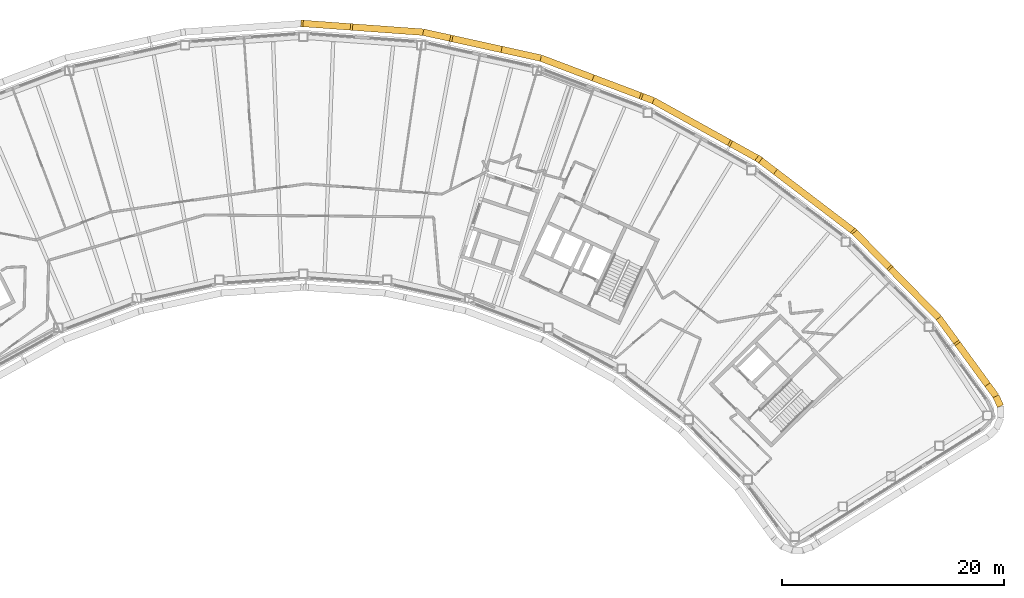
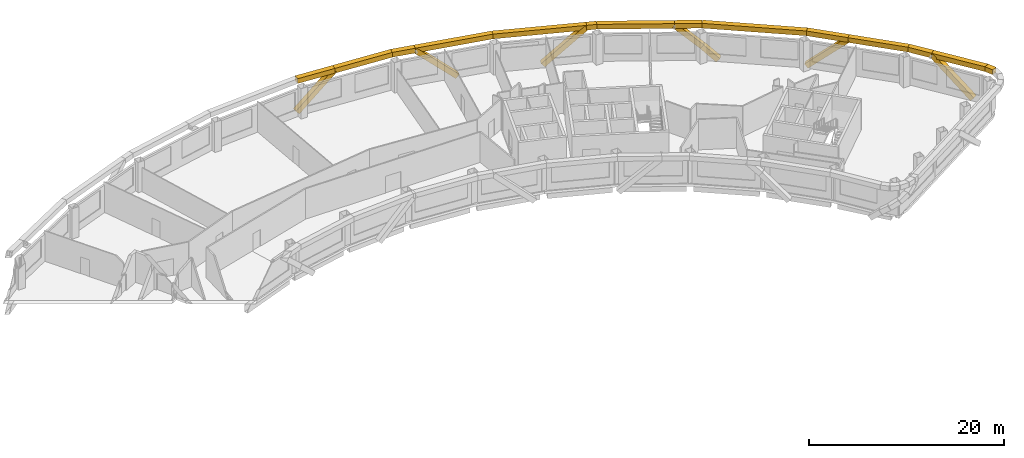
# One storey, part 17 of 18: 21 coverings.
"""IFC4 building model written with IfcOpenShell, lengths in metres."""

from ifc_helpers import new_model, si_unit, direction, frame, origin, origin_2d, place, context, subcontext, project, spatial, rectangle, extrude, material, material_profile, profile_set, type_object, element, save


model = new_model("IFC4")

# Units and contexts
model_context = context("Model", 3, precision=1e-05, world=origin(), true_north=direction((0.0, 1.0)))
body_context = subcontext(model_context, "Body", "Model", "MODEL_VIEW")
ifc_project = project(units=[si_unit("LENGTHUNIT", "METRE"), si_unit("AREAUNIT", "SQUARE_METRE"), si_unit("VOLUMEUNIT", "CUBIC_METRE"), si_unit("PLANEANGLEUNIT", "RADIAN"), si_unit("MASSUNIT", "GRAM", prefix="KILO")], contexts=[model_context])

# Site, building, storey
site_placement = place(None, origin())
site = spatial("IfcSite", under=ifc_project, at=site_placement, CompositionType="ELEMENT")
building_placement = place(site_placement, origin())
building = spatial("IfcBuilding", under=site, at=building_placement, Name="Tuul Gate Civic Tower", CompositionType="ELEMENT")
storey_placement = place(building_placement, frame((0.0, 0.0, 234.699951171875)))
storey = spatial("IfcBuildingStorey", under=building, at=storey_placement, Name="Level 53", CompositionType="ELEMENT", Elevation=234.699951171875)

# Coverings
ifc_material = material(Name="Terracotta baguette", Category="masonry")
ifc_material_profile = material_profile(ifc_material, rectangle(XDim=0.60009765625, YDim=0.60009765625, at=origin_2d()), Name="Terracotta baguette screen frame")
ifc_profile_set = profile_set([ifc_material_profile], Name="Terracotta baguette")
covering_type = type_object("IfcCoveringType", Name="Terracotta baguette screen frame", PredefinedType="CLADDING", material=ifc_profile_set)
covering_1_placement = place(storey_placement, frame((67.499755859375, -12.619140625, -0.349853515625), z_axis=(-0.433834561018, 0.59396267695, 0.677492370479), x_axis=(-0.807530403609, -0.589825946569, 0.0)))
element("IfcCovering", 1, at=covering_1_placement, inside=storey, type_object=covering_type, Name="Baguette 20", PredefinedType="CLADDING", context=body_context, shape_type="SweptSolid", body=[
    extrude(rectangle(XDim=0.60009765625, YDim=0.60009765625, at=origin_2d()), origin(), (0.0, 0.0, 1.0), 6.19921875),
])
covering_2_placement = place(storey_placement, frame((64.810302734375, -8.93701171875, 3.85009765625), z_axis=(-0.589822441222, 0.807532963928, 0.0), x_axis=(-0.807532963928, -0.589822441222, 0.0)))
element("IfcCovering", 2, at=covering_2_placement, inside=storey, type_object=covering_type, Name="Baguette 25", PredefinedType="CLADDING", context=body_context, shape_type="SweptSolid", body=[
    extrude(rectangle(XDim=0.60009765625, YDim=0.60009765625, at=origin_2d()), origin(), (0.0, 0.0, 1.0), 2.68017578125),
])
covering_3_placement = place(storey_placement, frame((63.2294921875, -6.772705078125, 3.85009765625), z_axis=(-0.700001676443, 0.714141199607, 0.0), x_axis=(-0.714141199607, -0.700001676443, 0.0)))
element("IfcCovering", 3, at=covering_3_placement, inside=storey, type_object=covering_type, Name="Baguette 26", PredefinedType="CLADDING", context=body_context, shape_type="SweptSolid", body=[
    extrude(rectangle(XDim=0.60009765625, YDim=0.60009765625, at=origin_2d()), origin(), (0.0, 0.0, 1.0), 6.406005859375),
])
covering_4_placement = place(storey_placement, frame((58.745361328125, -2.197998046875, 3.85009765625), z_axis=(-0.513638362215, 0.524035247313, -0.67938405371), x_axis=(-0.714155733534, -0.699986848634, 0.0)))
element("IfcCovering", 4, at=covering_4_placement, inside=storey, type_object=covering_type, Name="Baguette 29", PredefinedType="CLADDING", context=body_context, shape_type="SweptSolid", body=[
    extrude(rectangle(XDim=0.60009765625, YDim=0.60009765625, at=origin_2d()), origin(), (0.0, 0.0, 1.0), 6.058349609375),
])
covering_5_placement = place(storey_placement, frame((48.34326171875, 6.52783203125, -0.349853515625), z_axis=(-0.583849714634, 0.444519530098, 0.679354030005), x_axis=(-0.605768691074, -0.795640806467, 0.0)))
element("IfcCovering", 5, at=covering_5_placement, inside=storey, type_object=covering_type, Name="Baguette 43", PredefinedType="CLADDING", context=body_context, shape_type="SweptSolid", body=[
    extrude(rectangle(XDim=0.60009765625, YDim=0.60009765625, at=origin_2d()), origin(), (0.0, 0.0, 1.0), 2.30078125),
])
covering_6_placement = place(storey_placement, frame((47.0, 7.550537109375, 1.213134765625), z_axis=(-0.6417332848, 0.355777637603, 0.679411998541), x_axis=(-0.484871200152, -0.874585570006, 0.0)))
element("IfcCovering", 6, at=covering_6_placement, inside=storey, type_object=covering_type, Name="Baguette 44", PredefinedType="CLADDING", context=body_context, shape_type="SweptSolid", body=[
    extrude(rectangle(XDim=0.60009765625, YDim=0.60009765625, at=origin_2d()), origin(), (0.0, 0.0, 1.0), 3.88134765625),
])
covering_7_placement = place(storey_placement, frame((44.50927734375, 8.931396484375, 3.85009765625), z_axis=(-0.874641739175, 0.484769871272, 0.0), x_axis=(-0.484769871272, -0.874641739175, 0.0)))
element("IfcCovering", 7, at=covering_7_placement, inside=storey, type_object=covering_type, Name="Baguette 49", PredefinedType="CLADDING", context=body_context, shape_type="SweptSolid", body=[
    extrude(rectangle(XDim=0.60009765625, YDim=0.60009765625, at=origin_2d()), origin(), (0.0, 0.0, 1.0), 8.003662109375),
])
covering_8_placement = place(storey_placement, frame((37.509033203125, 12.811279296875, 3.85009765625), z_axis=(-0.935396556142, 0.353600456388, 0.0), x_axis=(-0.353600456388, -0.935396556142, 0.0)))
element("IfcCovering", 8, at=covering_8_placement, inside=storey, type_object=covering_type, Name="Baguette 50", PredefinedType="CLADDING", context=body_context, shape_type="SweptSolid", body=[
    extrude(rectangle(XDim=0.60009765625, YDim=0.60009765625, at=origin_2d()), origin(), (0.0, 0.0, 1.0), 1.06884765625),
])
covering_9_placement = place(storey_placement, frame((36.50927734375, 13.189208984375, 3.85009765625), z_axis=(-0.686362304965, 0.259538151221, -0.679372309109), x_axis=(-0.353693598078, -0.935361341236, 0.0)))
element("IfcCovering", 9, at=covering_9_placement, inside=storey, type_object=covering_type, Name="Baguette 52", PredefinedType="CLADDING", context=body_context, shape_type="SweptSolid", body=[
    extrude(rectangle(XDim=0.60009765625, YDim=0.60009765625, at=origin_2d()), origin(), (0.0, 0.0, 1.0), 6.18212890625),
])
covering_10_placement = place(storey_placement, frame((23.62255859375, 17.472412109375, -0.349853515625), z_axis=(-0.716590378022, 0.157890787067, 0.679388496727), x_axis=(-0.215174921103, -0.976575523617, 0.0)))
element("IfcCovering", 10, at=covering_10_placement, inside=storey, type_object=covering_type, Name="Baguette 62", PredefinedType="CLADDING", context=body_context, shape_type="SweptSolid", body=[
    extrude(rectangle(XDim=0.60009765625, YDim=0.60009765625, at=origin_2d()), origin(), (0.0, 0.0, 1.0), 6.181884765625),
])
covering_11_placement = place(storey_placement, frame((19.192626953125, 18.448486328125, 3.85009765625), z_axis=(-0.976559571442, 0.215247307589, 0.0), x_axis=(-0.215247307589, -0.976559571442, 0.0)))
element("IfcCovering", 11, at=covering_11_placement, inside=storey, type_object=covering_type, Name="Baguette 67", PredefinedType="CLADDING", context=body_context, shape_type="SweptSolid", body=[
    extrude(rectangle(XDim=0.60009765625, YDim=0.60009765625, at=origin_2d()), origin(), (0.0, 0.0, 1.0), 2.488525390625),
])
covering_12_placement = place(storey_placement, frame((16.762451171875, 18.984130859375, 3.85009765625), z_axis=(-0.997382277304, 0.072309009954, 0.0), x_axis=(-0.072309009954, -0.997382277304, 0.0)))
element("IfcCovering", 12, at=covering_12_placement, inside=storey, type_object=covering_type, Name="Baguette 68", PredefinedType="CLADDING", context=body_context, shape_type="SweptSolid", body=[
    extrude(rectangle(XDim=0.60009765625, YDim=0.60009765625, at=origin_2d()), origin(), (0.0, 0.0, 1.0), 6.583984375),
])
covering_13_placement = place(storey_placement, frame((10.19580078125, 19.460205078125, 3.85009765625), z_axis=(-0.731860970768, 0.053109461222, -0.679381266003), x_axis=(-0.072377369692, -0.99737731895, 0.0)))
element("IfcCovering", 13, at=covering_13_placement, inside=storey, type_object=covering_type, Name="Baguette 71", PredefinedType="CLADDING", context=body_context, shape_type="SweptSolid", body=[
    extrude(rectangle(XDim=0.60009765625, YDim=0.60009765625, at=origin_2d()), origin(), (0.0, 0.0, 1.0), 5.815185546875),
])
covering_14_placement = place(storey_placement, frame((58.745361328125, -2.197998046875, 3.85009765625), z_axis=(-0.699986848634, 0.714155733534, 0.0), x_axis=(-0.714155733534, -0.699986848634, 0.0)))
element("IfcCovering", 14, at=covering_14_placement, inside=storey, type_object=covering_type, Name="Baguette 414", PredefinedType="CLADDING", context=body_context, shape_type="SweptSolid", body=[
    extrude(rectangle(XDim=0.60009765625, YDim=0.60009765625, at=origin_2d()), origin(), (0.0, 0.0, 1.0), 4.445556640625),
])
covering_15_placement = place(storey_placement, frame((55.633544921875, 0.976806640625, 3.85009765625), z_axis=(-0.795618643442, 0.605797799771, 0.0), x_axis=(-0.605797799771, -0.795618643442, 0.0)))
element("IfcCovering", 15, at=covering_15_placement, inside=storey, type_object=covering_type, Name="Baguette 415", PredefinedType="CLADDING", context=body_context, shape_type="SweptSolid", body=[
    extrude(rectangle(XDim=0.60009765625, YDim=0.60009765625, at=origin_2d()), origin(), (0.0, 0.0, 1.0), 10.851318359375),
])
covering_16_placement = place(storey_placement, frame((47.0, 7.550537109375, 3.85009765625), z_axis=(-0.874585570006, 0.484871200152, 0.0), x_axis=(-0.484871200152, -0.874585570006, 0.0)))
element("IfcCovering", 16, at=covering_16_placement, inside=storey, type_object=covering_type, Name="Baguette 416", PredefinedType="CLADDING", context=body_context, shape_type="SweptSolid", body=[
    extrude(rectangle(XDim=0.60009765625, YDim=0.60009765625, at=origin_2d()), origin(), (0.0, 0.0, 1.0), 2.847900390625),
])
covering_17_placement = place(storey_placement, frame((36.50927734375, 13.189208984375, 3.85009765625), z_axis=(-0.935375980496, 0.353654881361, 0.0), x_axis=(-0.353654881361, -0.935375980496, 0.0)))
element("IfcCovering", 17, at=covering_17_placement, inside=storey, type_object=covering_type, Name="Baguette 417", PredefinedType="CLADDING", context=body_context, shape_type="SweptSolid", body=[
    extrude(rectangle(XDim=0.60009765625, YDim=0.60009765625, at=origin_2d()), origin(), (0.0, 0.0, 1.0), 9.781982421875),
])
covering_18_placement = place(storey_placement, frame((27.359375, 16.648681640625, 3.85009765625), z_axis=(-0.976566109565, 0.215217642513, 0.0), x_axis=(-0.215217642513, -0.976566109565, 0.0)))
element("IfcCovering", 18, at=covering_18_placement, inside=storey, type_object=covering_type, Name="Baguette 418", PredefinedType="CLADDING", context=body_context, shape_type="SweptSolid", body=[
    extrude(rectangle(XDim=0.60009765625, YDim=0.60009765625, at=origin_2d()), origin(), (0.0, 0.0, 1.0), 8.36279296875),
])
covering_19_placement = place(storey_placement, frame((10.19580078125, 19.460205078125, 3.85009765625), z_axis=(-0.99737731895, 0.072377369692, 0.0), x_axis=(-0.072377369692, -0.99737731895, 0.0)))
element("IfcCovering", 19, at=covering_19_placement, inside=storey, type_object=covering_type, Name="Baguette 419", PredefinedType="CLADDING", context=body_context, shape_type="SweptSolid", body=[
    extrude(rectangle(XDim=0.60009765625, YDim=0.60009765625, at=origin_2d()), origin(), (0.0, 0.0, 1.0), 4.26708984375),
])
covering_20_placement = place(storey_placement, frame((68.788330078125, -14.726806640625, 3.85009765625), z_axis=(-0.411884607508, 0.911236012292, 0.0), x_axis=(-0.911236012292, -0.411884607508, 0.0)))
element("IfcCovering", 20, at=covering_20_placement, inside=storey, type_object=covering_type, Name="Baguette 450", PredefinedType="CLADDING", context=body_context, shape_type="SweptSolid", body=[
    extrude(rectangle(XDim=0.60009765625, YDim=0.60009765625, at=origin_2d()), origin(), (0.0, 0.0, 1.0), 0.988037109375),
])
covering_21_placement = place(storey_placement, frame((68.38134765625, -13.826416015625, 3.85009765625), z_axis=(-0.58980325004, 0.807546980827, 0.0), x_axis=(-0.807546980827, -0.58980325004, 0.0)))
element("IfcCovering", 21, at=covering_21_placement, inside=storey, type_object=covering_type, Name="Baguette 451", PredefinedType="CLADDING", context=body_context, shape_type="SweptSolid", body=[
    extrude(rectangle(XDim=0.60009765625, YDim=0.60009765625, at=origin_2d()), origin(), (0.0, 0.0, 1.0), 6.0546875),
])

save(model, "model.ifc")
